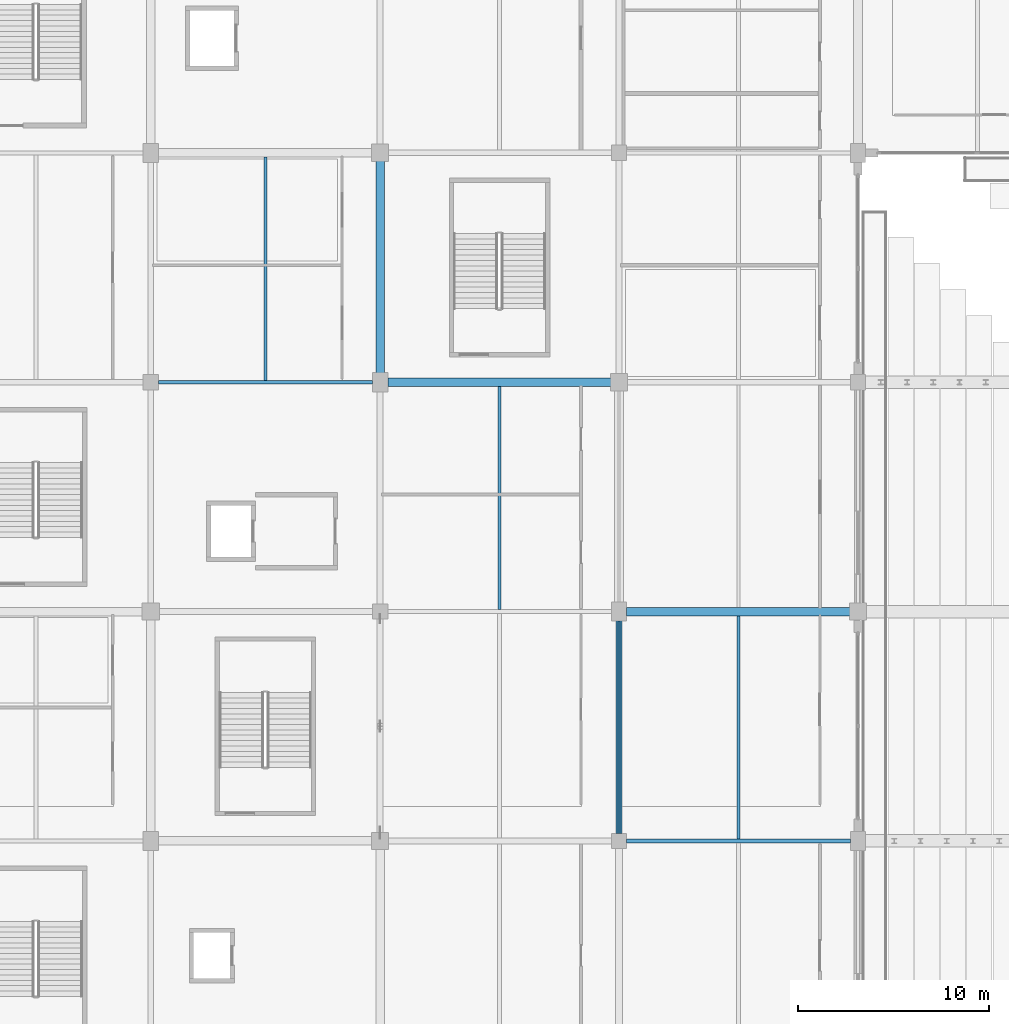
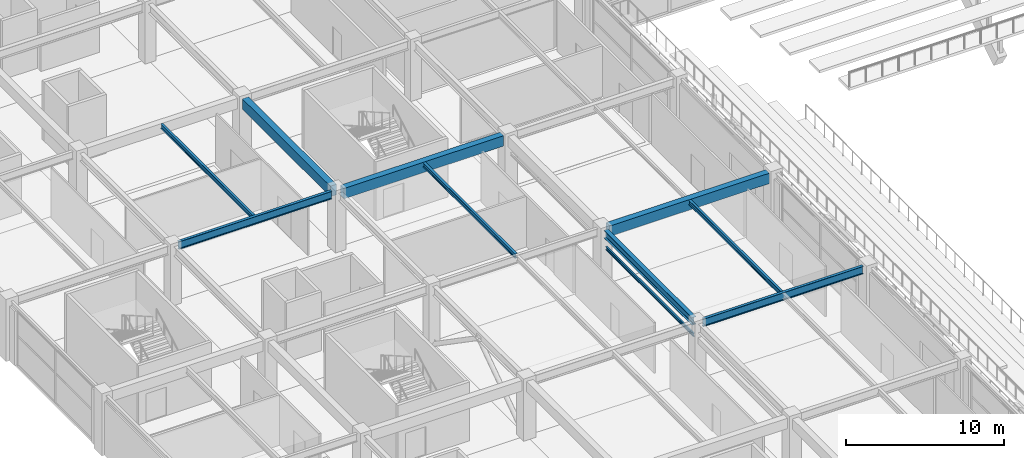
# One storey, part 24 of 134: 10 beams.
"""IFC4 building model written with IfcOpenShell, lengths in metres."""

from ifc_helpers import new_model, si_unit, direction, frame, origin, origin_2d, place, context, subcontext, project, spatial, rectangle, i_section, extrude, material, material_profile, profile_set, type_object, element, save


model = new_model("IFC4")

# Units and contexts
model_context = context("Model", 3, precision=1e-05, world=origin(), true_north=direction((0.0, 1.0)))
body_context = subcontext(model_context, "Body", "Model", "MODEL_VIEW")
ifc_project = project(units=[si_unit("LENGTHUNIT", "METRE"), si_unit("AREAUNIT", "SQUARE_METRE"), si_unit("VOLUMEUNIT", "CUBIC_METRE"), si_unit("PLANEANGLEUNIT", "RADIAN"), si_unit("MASSUNIT", "GRAM", prefix="KILO")], contexts=[model_context])

# Site, building, storey
site_placement = place(None, origin())
site = spatial("IfcSite", under=ifc_project, at=site_placement, CompositionType="ELEMENT")
building_placement = place(site_placement, origin())
building = spatial("IfcBuilding", under=site, at=building_placement, Name="Kazenohara Klinker Stadium", CompositionType="ELEMENT")
storey_placement = place(building_placement, frame((0.0, 0.0, 5.39990234375)))
storey = spatial("IfcBuildingStorey", under=building, at=storey_placement, Name="L01", CompositionType="ELEMENT", Elevation=5.39990234375)

# Beams
ifc_material_1 = material(Name="Steel S355", Category="steel")
ifc_material_profile_1 = material_profile(ifc_material_1, i_section(OverallWidth=0.175048828125, OverallDepth=0.35009765625, WebThickness=0.007080078125, FlangeThickness=0.010986328125, FilletRadius=0.012939453125, at=origin_2d()), Name="H-350x175x7x11")
ifc_profile_set_1 = profile_set([ifc_material_profile_1], Name="Steel S355")
beam_type_1 = type_object("IfcBeamType", Name="BM-JST04", PredefinedType="JOIST", material=ifc_profile_set_1)
for number, where, z_axis, x_axis, name in (
    (1, (18.0, 120.10009765625, 4.375), (0.0, 1.0, 0.0), (-1.0, 0.0, 0.0), "Secondary floor joist SJ04 L01 2/L"),
    (2, (30.25, 108.10009765625, 4.375), (0.0, 1.0, 0.0), (-1.0, 0.0, 0.0), "Secondary floor joist SJ04 L01 3/K"),
    (3, (42.75, 96.10009765625, 4.375), (0.0, 1.0, 0.0), (-1.0, 0.0, 0.0), "Secondary floor joist SJ04 L01 4/J"),
):
    element("IfcBeam", number, at=place(storey_placement, frame(where, z_axis=z_axis, x_axis=x_axis)), inside=storey, type_object=beam_type_1, Name=name, PredefinedType="JOIST", context=body_context, shape_type="SweptSolid", body=[
        extrude(i_section(OverallWidth=0.175048828125, OverallDepth=0.35009765625, WebThickness=0.007080078125, FlangeThickness=0.010986328125, FilletRadius=0.012939453125, at=origin_2d()), origin(), (0.0, 0.0, 1.0), 11.6748046875),
    ])
ifc_material_profile_2 = material_profile(ifc_material_1, i_section(OverallWidth=0.125, OverallDepth=0.25, WebThickness=0.006103515625, FlangeThickness=0.009033203125, FilletRadius=0.008056640625, at=origin_2d()), Name="H-250x125x6x9")
ifc_profile_set_2 = profile_set([ifc_material_profile_2], Name="Steel S355")
beam_type_2 = type_object("IfcBeamType", Name="BM-LIN02", PredefinedType="LINTEL", material=ifc_profile_set_2)
beam_1_placement = place(storey_placement, frame((36.5, 96.39990234375, 3.175048828125), z_axis=(0.0, 1.0, 0.0), x_axis=(-1.0, 0.0, 0.0)))
element("IfcBeam", 4, at=beam_1_placement, inside=storey, type_object=beam_type_2, Name="Concourse portal lintel LN02 L01-05", PredefinedType="LINTEL", context=body_context, shape_type="SweptSolid", body=[
    extrude(i_section(OverallWidth=0.125, OverallDepth=0.25, WebThickness=0.006103515625, FlangeThickness=0.009033203125, FilletRadius=0.008056640625, at=origin_2d()), origin(), (0.0, 0.0, 1.0), 11.10009765625),
])
ifc_material_2 = material(Name="Concrete C40/50", Category="concrete")
ifc_material_profile_3 = material_profile(ifc_material_2, rectangle(XDim=0.449951171875, YDim=0.800048828125, at=origin_2d()), Name="RC-BM-450x800")
ifc_profile_set_3 = profile_set([ifc_material_profile_3], Name="Concrete C40/50")
beam_type_3 = type_object("IfcBeamType", Name="BM-RC03", PredefinedType="BEAM", material=ifc_profile_set_3)
for number, where, z_axis, x_axis, name in (
    (5, (24.39990234375, 120.0, 4.150146484375), (1.0, 0.0, 0.0), (0.0, 1.0, 0.0), "Primary girder BG03 L01 3-4/L"),
    (6, (36.89990234375, 108.0, 4.150146484375), (1.0, 0.0, 0.0), (0.0, 1.0, 0.0), "Primary girder BG03 L01 4-5/K"),
):
    element("IfcBeam", number, at=place(storey_placement, frame(where, z_axis=z_axis, x_axis=x_axis)), inside=storey, type_object=beam_type_3, Name=name, PredefinedType="BEAM", context=body_context, shape_type="SweptSolid", body=[
        extrude(rectangle(XDim=0.449951171875, YDim=0.800048828125, at=origin_2d()), origin(), (0.0, 0.0, 1.0), 11.68017578125),
    ])
beam_2_placement = place(storey_placement, frame((24.0, 120.419921875, 4.150146484375), z_axis=(0.0, 1.0, 0.0), x_axis=(-1.0, 0.0, 0.0)))
element("IfcBeam", 7, at=beam_2_placement, inside=storey, type_object=beam_type_3, Name="Primary girder BG03 L01 3/L-M", PredefinedType="BEAM", context=body_context, shape_type="SweptSolid", body=[
    extrude(rectangle(XDim=0.449951171875, YDim=0.800048828125, at=origin_2d()), origin(), (0.0, 0.0, 1.0), 11.16015625),
])
ifc_material_profile_4 = material_profile(ifc_material_1, i_section(OverallWidth=0.199951171875, OverallDepth=0.60009765625, WebThickness=0.010986328125, FlangeThickness=0.01708984375, FilletRadius=0.012939453125, at=origin_2d()), Name="H-600x200x11x17")
ifc_profile_set_4 = profile_set([ifc_material_profile_4], Name="Steel S355")
beam_type_4 = type_object("IfcBeamType", Name="BM-ST04", PredefinedType="BEAM", material=ifc_profile_set_4)
beam_3_placement = place(storey_placement, frame((12.39990234375, 120.0, 4.25), z_axis=(1.0, 0.0, 0.0), x_axis=(0.0, 1.0, 0.0)))
element("IfcBeam", 8, at=beam_3_placement, inside=storey, type_object=beam_type_4, Name="Primary girder SB04 L01 2-3/L", PredefinedType="BEAM", context=body_context, shape_type="SweptSolid", body=[
    extrude(i_section(OverallWidth=0.199951171875, OverallDepth=0.60009765625, WebThickness=0.010986328125, FlangeThickness=0.01708984375, FilletRadius=0.012939453125, at=origin_2d()), origin(), (0.0, 0.0, 1.0), 11.2001953125),
])
beam_4_placement = place(storey_placement, frame((36.89990234375, 96.0, 4.25), z_axis=(1.0, 0.0, 0.0), x_axis=(0.0, 1.0, 0.0)))
element("IfcBeam", 9, at=beam_4_placement, inside=storey, type_object=beam_type_4, Name="Primary girder SB04 L01 4-5/J", PredefinedType="BEAM", context=body_context, shape_type="SweptSolid", body=[
    extrude(i_section(OverallWidth=0.199951171875, OverallDepth=0.60009765625, WebThickness=0.010986328125, FlangeThickness=0.01708984375, FilletRadius=0.012939453125, at=origin_2d()), origin(), (0.0, 0.0, 1.0), 11.7001953125),
])
ifc_material_profile_5 = material_profile(ifc_material_1, i_section(OverallWidth=0.300048828125, OverallDepth=0.587890625, WebThickness=0.011962890625, FlangeThickness=0.02001953125, FilletRadius=0.02197265625, at=origin_2d()), Name="H-588x300x12x20")
ifc_profile_set_5 = profile_set([ifc_material_profile_5], Name="Steel S355")
beam_type_5 = type_object("IfcBeamType", Name="BM-ST05", PredefinedType="BEAM", material=ifc_profile_set_5)
beam_5_placement = place(storey_placement, frame((36.5, 96.39990234375, 4.256103515625), z_axis=(0.0, 1.0, 0.0), x_axis=(-1.0, 0.0, 0.0)))
element("IfcBeam", 10, at=beam_5_placement, inside=storey, type_object=beam_type_5, Name="Primary girder SB05 L01 4/J-K", PredefinedType="BEAM", context=body_context, shape_type="SweptSolid", body=[
    extrude(i_section(OverallWidth=0.300048828125, OverallDepth=0.587890625, WebThickness=0.011962890625, FlangeThickness=0.02001953125, FilletRadius=0.02197265625, at=origin_2d()), origin(), (0.0, 0.0, 1.0), 11.18017578125),
])

save(model, "model.ifc")
